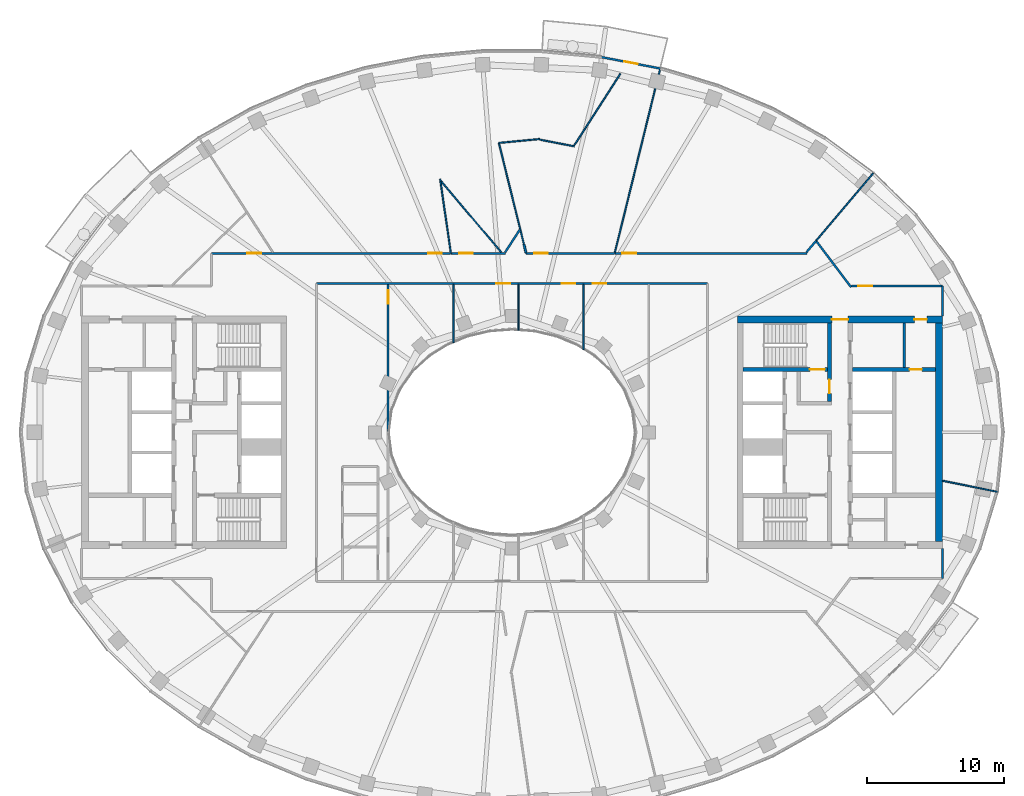
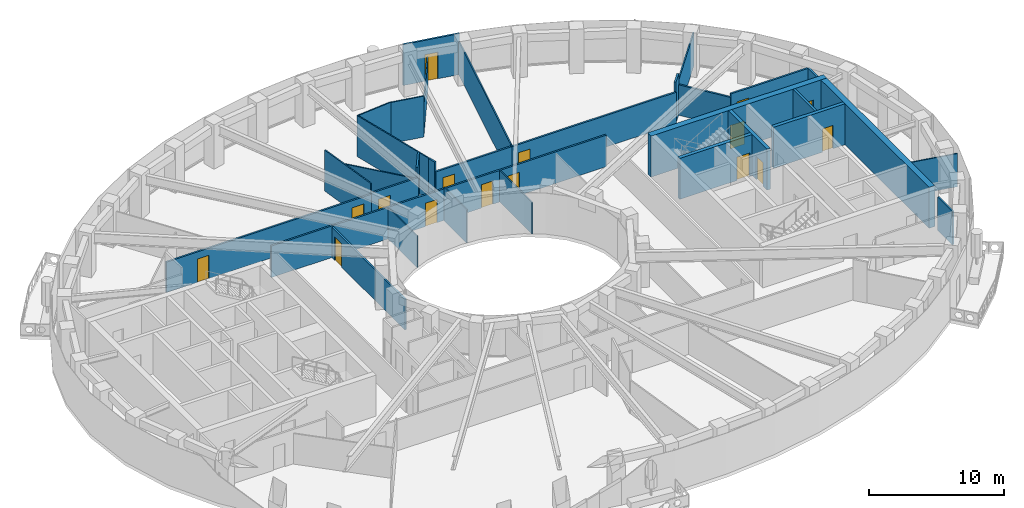
# One storey, part 6 of 16: 32 walls, 16 doors, 16 openings.
"""IFC4 building model written with IfcOpenShell, lengths in metres."""

from ifc_helpers import new_model, si_unit, direction, frame, frame_2d, origin, place, context, subcontext, project, spatial, rectangle, extrude, material, layer, layer_set, type_object, element, fill, save


model = new_model("IFC4")

# Units and contexts
model_context = context("Model", 3, precision=1e-05, world=origin(), true_north=direction((0.0, 1.0)))
body_context = subcontext(model_context, "Body", "Model", "MODEL_VIEW")
ifc_project = project(units=[si_unit("LENGTHUNIT", "METRE"), si_unit("AREAUNIT", "SQUARE_METRE"), si_unit("VOLUMEUNIT", "CUBIC_METRE"), si_unit("PLANEANGLEUNIT", "RADIAN"), si_unit("MASSUNIT", "GRAM", prefix="KILO")], contexts=[model_context])

# Site, building, storey
site_placement = place(None, origin())
site = spatial("IfcSite", under=ifc_project, at=site_placement, CompositionType="ELEMENT")
building_placement = place(site_placement, origin())
building = spatial("IfcBuilding", under=site, at=building_placement, Name="Noorbagh Ring Tower", CompositionType="ELEMENT")
storey_placement = place(building_placement, frame((0.0, 0.0, 261.5)))
storey = spatial("IfcBuildingStorey", under=building, at=storey_placement, Name="L55", CompositionType="ELEMENT", Elevation=261.5)

# Wall
ifc_material_1 = material(Name="Gypsum board on steel studs", Category="steel")
ifc_layer_1 = layer(ifc_material_1, 0.199951171875)
ifc_layer_set_1 = layer_set([ifc_layer_1], Name="Gypsum board on steel studs")
wall_type_1 = type_object("IfcWallType", Name="CORE-PARTITION-200", PredefinedType="PARTITIONING", material=ifc_layer_set_1)
wall_1_placement = place(storey_placement, frame((28.699951171875, 4.75, 0.0), z_axis=(0.0, 0.0, 1.0), x_axis=(0.0, 1.0, 0.0)))
element("IfcWall", 1, at=wall_1_placement, inside=storey, type_object=wall_type_1, Name="Core partition E", PredefinedType="PARTITIONING", context=body_context, shape_type="SweptSolid", body=[
    extrude(rectangle(XDim=3.25, YDim=0.199951171875, at=frame_2d((1.625, 0.0))), origin(), (0.0, 0.0, 1.0), 3.699951171875),
])

# Wall, opening, door
ifc_material_2 = material(Name="Concrete C60/75", Category="concrete")
ifc_layer_2 = layer(ifc_material_2, 0.300048828125)
ifc_layer_set_2 = layer_set([ifc_layer_2], Name="Concrete C60/75")
wall_type_2 = type_object("IfcWallType", Name="CORE-WALL-300-C60-75-EI240", PredefinedType="SHEAR", material=ifc_layer_set_2)
wall_2_placement = place(storey_placement, frame((24.89990234375, 4.60009765625, 0.0), z_axis=(0.0, 0.0, 1.0), x_axis=(1.0, 0.0, 0.0)))
wall_2 = element("IfcWall", 2, at=wall_2_placement, inside=storey, type_object=wall_type_2, Name="Core wall E", PredefinedType="SHEAR", context=body_context, shape_type="SweptSolid", body=[
    extrude(rectangle(XDim=6.10009765625, YDim=0.300048828125, at=frame_2d((3.050048828125, 0.0))), origin(), (0.0, 0.0, 1.0), 3.699951171875),
])
opening_1_placement = place(wall_2_placement, frame((4.199951171875, 0.0, 0.0)))
opening_1 = element("IfcOpeningElement", 3, at=opening_1_placement, cuts=wall_2, Name="Opening L55-CE18", PredefinedType="OPENING", context=body_context, shape_type="SweptSolid", body=[
    extrude(rectangle(XDim=0.89990234375, YDim=2.10009765625, at=frame_2d((0.449951171875, 1.050048828125))), frame((0.0, 0.16015625, 0.0), z_axis=(0.0, -1.0, 0.0), x_axis=(1.0, 0.0, 0.0)), (0.0, 0.0, 1.0), 0.320068359375),
])
ifc_material_3 = material(Name="Steel door leaf", Category="steel")
door_type_1 = type_object("IfcDoorType", Name="CORE-DOOR-DROOM", OperationType="SINGLE_SWING_LEFT", PredefinedType="DOOR", material=ifc_material_3)
door_1_placement = place(opening_1_placement, origin())
door_1 = element("IfcDoor", 4, at=door_1_placement, inside=storey, type_object=door_type_1, Name="Core room door L55-CE18", OperationType="SINGLE_SWING_RIGHT", OverallHeight=2.10009765625, OverallWidth=0.89990234375, PredefinedType="DOOR", context=body_context, shape_type="SweptSolid", body=[
    extrude(rectangle(XDim=0.89990234375, YDim=2.10009765625, at=frame_2d((0.449951171875, 1.050048828125))), frame((0.0, 0.02490234375, 0.0), z_axis=(0.0, -1.0, 0.0), x_axis=(1.0, 0.0, 0.0)), (0.0, 0.0, 1.0), 0.050048828125),
])
fill(opening_1, door_1)

wall_3_placement = place(storey_placement, frame((23.22998046875, 2.25, 0.0), z_axis=(0.0, 0.0, 1.0), x_axis=(0.0, 1.0, 0.0)))
wall_3 = element("IfcWall", 5, at=wall_3_placement, inside=storey, type_object=wall_type_2, Name="Core wall E", PredefinedType="SHEAR", context=body_context, shape_type="SweptSolid", body=[
    extrude(rectangle(XDim=5.75, YDim=0.300048828125, at=frame_2d((2.875, 0.0))), origin(), (0.0, 0.0, 1.0), 3.699951171875),
])
opening_2_placement = place(wall_3_placement, frame((0.60009765625, 0.0, 0.0)))
opening_2 = element("IfcOpeningElement", 6, at=opening_2_placement, cuts=wall_3, Name="Opening L55-CE10", PredefinedType="OPENING", context=body_context, shape_type="SweptSolid", body=[
    extrude(rectangle(XDim=1.0, YDim=2.10009765625, at=frame_2d((0.5, 1.050048828125))), frame((0.0, 0.16015625, 0.0), z_axis=(0.0, -1.0, 0.0), x_axis=(1.0, 0.0, 0.0)), (0.0, 0.0, 1.0), 0.320068359375),
])
ifc_material_4 = material(Name="Steel door leaf", Category="steel")
door_type_2 = type_object("IfcDoorType", Name="CORE-DOOR-DVEST", OperationType="SINGLE_SWING_LEFT", PredefinedType="DOOR", material=ifc_material_4)
door_2_placement = place(opening_2_placement, origin())
door_2 = element("IfcDoor", 7, at=door_2_placement, inside=storey, type_object=door_type_2, Name="Stair vestibule door L55-CE10", OperationType="SINGLE_SWING_RIGHT", OverallHeight=2.10009765625, OverallWidth=1.0, PredefinedType="DOOR", context=body_context, shape_type="SweptSolid", body=[
    extrude(rectangle(XDim=1.0, YDim=2.10009765625, at=frame_2d((0.5, 1.050048828125))), frame((0.0, 0.02490234375, 0.0), z_axis=(0.0, -1.0, 0.0), x_axis=(1.0, 0.0, 0.0)), (0.0, 0.0, 1.0), 0.050048828125),
])
fill(opening_2, door_2)

wall_4_placement = place(storey_placement, frame((16.89990234375, 4.60009765625, 0.0), z_axis=(0.0, 0.0, 1.0), x_axis=(1.0, 0.0, 0.0)))
wall_4 = element("IfcWall", 8, at=wall_4_placement, inside=storey, type_object=wall_type_2, Name="Core wall E", PredefinedType="SHEAR", context=body_context, shape_type="SweptSolid", body=[
    extrude(rectangle(XDim=6.18017578125, YDim=0.300048828125, at=frame_2d((3.090087890625, 0.0))), origin(), (0.0, 0.0, 1.0), 3.699951171875),
])
opening_3_placement = place(wall_4_placement, frame((4.89990234375, 0.0, 0.0)))
opening_3 = element("IfcOpeningElement", 9, at=opening_3_placement, cuts=wall_4, Name="Opening L55-CE07", PredefinedType="OPENING", context=body_context, shape_type="SweptSolid", body=[
    extrude(rectangle(XDim=1.10009765625, YDim=2.10009765625, at=frame_2d((0.550048828125, 1.050048828125))), frame((0.0, 0.16015625, 0.0), z_axis=(0.0, -1.0, 0.0), x_axis=(1.0, 0.0, 0.0)), (0.0, 0.0, 1.0), 0.320068359375),
])
ifc_material_5 = material(Name="Steel door leaf", Category="steel")
door_type_3 = type_object("IfcDoorType", Name="CORE-DOOR-DSTAIR", OperationType="SINGLE_SWING_LEFT", PredefinedType="DOOR", material=ifc_material_5)
door_3_placement = place(opening_3_placement, origin())
door_3 = element("IfcDoor", 10, at=door_3_placement, inside=storey, type_object=door_type_3, Name="Stair door ST3 L55-CE07", OperationType="SINGLE_SWING_LEFT", OverallHeight=2.10009765625, OverallWidth=1.10009765625, PredefinedType="DOOR", context=body_context, shape_type="SweptSolid", body=[
    extrude(rectangle(XDim=1.10009765625, YDim=2.10009765625, at=frame_2d((0.550048828125, 1.050048828125))), frame((0.0, 0.02490234375, 0.0), z_axis=(0.0, -1.0, 0.0), x_axis=(1.0, 0.0, 0.0)), (0.0, 0.0, 1.0), 0.050048828125),
])
fill(opening_3, door_3)

# Wall, openings, doors
ifc_material_6 = material(Name="Concrete C60/75", Category="concrete")
ifc_layer_3 = layer(ifc_material_6, 0.5)
ifc_layer_set_3 = layer_set([ifc_layer_3], Name="Concrete C60/75")
wall_type_3 = type_object("IfcWallType", Name="CORE-WALL-500-C60-75-EI240", PredefinedType="SHEAR", material=ifc_layer_set_3)
wall_5_placement = place(storey_placement, frame((16.5, 8.25, 0.0), z_axis=(0.0, 0.0, 1.0), x_axis=(1.0, 0.0, 0.0)))
wall_5 = element("IfcWall", 11, at=wall_5_placement, inside=storey, type_object=wall_type_3, Name="Core wall E", PredefinedType="SHEAR", context=body_context, shape_type="SweptSolid", body=[
    extrude(rectangle(XDim=15.0, YDim=0.5, at=frame_2d((7.5, 0.0))), origin(), (0.0, 0.0, 1.0), 3.699951171875),
])
opening_4_placement = place(wall_5_placement, frame((6.89990234375, 0.0, 0.0)))
opening_4 = element("IfcOpeningElement", 12, at=opening_4_placement, cuts=wall_5, Name="Opening L55-CE11", PredefinedType="OPENING", context=body_context, shape_type="SweptSolid", body=[
    extrude(rectangle(XDim=1.199951171875, YDim=2.10009765625, at=frame_2d((0.60009765625, 1.050048828125))), frame((0.0, 0.260009765625, 0.0), z_axis=(0.0, -1.0, 0.0), x_axis=(1.0, 0.0, 0.0)), (0.0, 0.0, 1.0), 0.52001953125),
])
opening_5_placement = place(wall_5_placement, frame((12.949951171875, 0.0, 0.0)))
opening_5 = element("IfcOpeningElement", 13, at=opening_5_placement, cuts=wall_5, Name="Opening L55-CE14", PredefinedType="OPENING", context=body_context, shape_type="SweptSolid", body=[
    extrude(rectangle(XDim=0.89990234375, YDim=2.10009765625, at=frame_2d((0.449951171875, 1.050048828125))), frame((0.0, 0.260009765625, 0.0), z_axis=(0.0, -1.0, 0.0), x_axis=(1.0, 0.0, 0.0)), (0.0, 0.0, 1.0), 0.52001953125),
])
door_4_placement = place(opening_5_placement, origin())
door_4 = element("IfcDoor", 14, at=door_4_placement, inside=storey, type_object=door_type_1, Name="Core room door L55-CE14", OperationType="SINGLE_SWING_LEFT", OverallHeight=2.10009765625, OverallWidth=0.89990234375, PredefinedType="DOOR", context=body_context, shape_type="SweptSolid", body=[
    extrude(rectangle(XDim=0.89990234375, YDim=2.10009765625, at=frame_2d((0.449951171875, 1.050048828125))), frame((0.0, 0.02490234375, 0.0), z_axis=(0.0, -1.0, 0.0), x_axis=(1.0, 0.0, 0.0)), (0.0, 0.0, 1.0), 0.050048828125),
])
fill(opening_5, door_4)
ifc_material_7 = material(Name="Steel door leaf", Category="steel")
door_type_4 = type_object("IfcDoorType", Name="CORE-DOOR-PORT", OperationType="DOUBLE_DOOR_DOUBLE_SWING", PredefinedType="DOOR", material=ifc_material_7)
door_5_placement = place(opening_4_placement, origin())
door_5 = element("IfcDoor", 15, at=door_5_placement, inside=storey, type_object=door_type_4, Name="Core entrance door L55-CE11", OperationType="DOUBLE_DOOR_DOUBLE_SWING", OverallHeight=2.10009765625, OverallWidth=1.199951171875, PredefinedType="DOOR", context=body_context, shape_type="SweptSolid", body=[
    extrude(rectangle(XDim=1.199951171875, YDim=2.10009765625, at=frame_2d((0.60009765625, 1.050048828125))), frame((0.0, 0.02490234375, 0.0), z_axis=(0.0, -1.0, 0.0), x_axis=(1.0, 0.0, 0.0)), (0.0, 0.0, 1.0), 0.050048828125),
])
fill(opening_4, door_5)

# Wall
wall_6_placement = place(storey_placement, frame((31.25, -8.0, 0.0), z_axis=(0.0, 0.0, 1.0), x_axis=(0.0, 1.0, 0.0)))
element("IfcWall", 16, at=wall_6_placement, inside=storey, type_object=wall_type_3, Name="Core wall E", PredefinedType="SHEAR", context=body_context, shape_type="SweptSolid", body=[
    extrude(rectangle(XDim=16.0, YDim=0.5, at=frame_2d((8.0, 0.0))), origin(), (0.0, 0.0, 1.0), 3.699951171875),
])

# Wall, openings, doors
ifc_material_8 = material(Name="Gypsum board on steel studs", Category="steel")
ifc_layer_4 = layer(ifc_material_8, 0.14990234375)
ifc_layer_set_4 = layer_set([ifc_layer_4], Name="Gypsum board on steel studs")
wall_type_4 = type_object("IfcWallType", Name="CORRIDOR PARTITION 150 EI 30", PredefinedType="PARTITIONING", material=ifc_layer_set_4)
wall_7_placement = place(storey_placement, frame((-22.0, 13.10009765625, 0.0), z_axis=(0.0, 0.0, 1.0), x_axis=(1.0, 0.0, 0.0)))
wall_7 = element("IfcWall", 17, at=wall_7_placement, inside=storey, type_object=wall_type_4, Name="L55/wall/P13", PredefinedType="PARTITIONING", context=body_context, shape_type="SweptSolid", body=[
    extrude(rectangle(XDim=17.507080078125, YDim=0.14990234375, at=frame_2d((8.75341796875, 0.0))), origin(), (0.0, 0.0, 1.0), 2.75),
])
opening_6_placement = place(wall_7_placement, frame((2.64306640625, 0.0, 0.0)))
opening_6 = element("IfcOpeningElement", 18, at=opening_6_placement, cuts=wall_7, Name="Opening D1", PredefinedType="OPENING", context=body_context, shape_type="SweptSolid", body=[
    extrude(rectangle(XDim=1.0, YDim=2.10009765625, at=frame_2d((0.5, 1.050048828125))), frame((0.0, 0.0849609375, 0.0), z_axis=(0.0, -1.0, 0.0), x_axis=(1.0, 0.0, 0.0)), (0.0, 0.0, 1.0), 0.169921875),
])
opening_7_placement = place(wall_7_placement, frame((15.876953125, 0.0, 0.0)))
opening_7 = element("IfcOpeningElement", 19, at=opening_7_placement, cuts=wall_7, Name="Opening D1", PredefinedType="OPENING", context=body_context, shape_type="SweptSolid", body=[
    extrude(rectangle(XDim=1.0, YDim=2.10009765625, at=frame_2d((0.5, 1.050048828125))), frame((0.0, 0.0849609375, 0.0), z_axis=(0.0, -1.0, 0.0), x_axis=(1.0, 0.0, 0.0)), (0.0, 0.0, 1.0), 0.169921875),
])
ifc_material_9 = material(Name="Timber, painted", Category="wood")
door_type_5 = type_object("IfcDoorType", Name="DOOR 1000 X 2100 FD30", OperationType="SINGLE_SWING_LEFT", PredefinedType="DOOR", material=ifc_material_9)
door_6_placement = place(opening_6_placement, origin())
door_6 = element("IfcDoor", 20, at=door_6_placement, inside=storey, type_object=door_type_5, Name="L55-D09", OperationType="SINGLE_SWING_LEFT", OverallHeight=2.10009765625, OverallWidth=1.0, PredefinedType="DOOR", context=body_context, shape_type="SweptSolid", body=[
    extrude(rectangle(XDim=1.0, YDim=2.10009765625, at=frame_2d((0.5, 1.050048828125))), frame((0.0, 0.02490234375, 0.0), z_axis=(0.0, -1.0, 0.0), x_axis=(1.0, 0.0, 0.0)), (0.0, 0.0, 1.0), 0.050048828125),
])
fill(opening_6, door_6)
door_7_placement = place(opening_7_placement, origin())
door_7 = element("IfcDoor", 21, at=door_7_placement, inside=storey, type_object=door_type_5, Name="L55-D11", OperationType="SINGLE_SWING_LEFT", OverallHeight=2.10009765625, OverallWidth=1.0, PredefinedType="DOOR", context=body_context, shape_type="SweptSolid", body=[
    extrude(rectangle(XDim=1.0, YDim=2.10009765625, at=frame_2d((0.5, 1.050048828125))), frame((0.0, 0.02490234375, 0.0), z_axis=(0.0, -1.0, 0.0), x_axis=(1.0, 0.0, 0.0)), (0.0, 0.0, 1.0), 0.050048828125),
])
fill(opening_7, door_7)

wall_8_placement = place(storey_placement, frame((-14.300048828125, 10.89990234375, 0.0), z_axis=(0.0, 0.0, 1.0), x_axis=(1.0, 0.0, 0.0)))
wall_8 = element("IfcWall", 22, at=wall_8_placement, inside=storey, type_object=wall_type_4, Name="L55/wall/P16", PredefinedType="PARTITIONING", context=body_context, shape_type="SweptSolid", body=[
    extrude(rectangle(XDim=28.60009765625, YDim=0.14990234375, at=frame_2d((14.300048828125, 0.0))), origin(), (0.0, 0.0, 1.0), 2.85009765625),
])
opening_8_placement = place(wall_8_placement, frame((13.159912109375, 0.0, 0.0)))
opening_8 = element("IfcOpeningElement", 23, at=opening_8_placement, cuts=wall_8, Name="Opening D1", PredefinedType="OPENING", context=body_context, shape_type="SweptSolid", body=[
    extrude(rectangle(XDim=1.0, YDim=2.10009765625, at=frame_2d((0.5, 1.050048828125))), frame((0.0, 0.0849609375, 0.0), z_axis=(0.0, -1.0, 0.0), x_axis=(1.0, 0.0, 0.0)), (0.0, 0.0, 1.0), 0.169921875),
])
opening_9_placement = place(wall_8_placement, frame((17.927001953125, 0.0, 0.0)))
opening_9 = element("IfcOpeningElement", 24, at=opening_9_placement, cuts=wall_8, Name="Opening D1", PredefinedType="OPENING", context=body_context, shape_type="SweptSolid", body=[
    extrude(rectangle(XDim=1.0, YDim=2.10009765625, at=frame_2d((0.5, 1.050048828125))), frame((0.0, 0.0849609375, 0.0), z_axis=(0.0, -1.0, 0.0), x_axis=(1.0, 0.0, 0.0)), (0.0, 0.0, 1.0), 0.169921875),
])
opening_10_placement = place(wall_8_placement, frame((20.193115234375, 0.0, 0.0)))
opening_10 = element("IfcOpeningElement", 25, at=opening_10_placement, cuts=wall_8, Name="Opening D1", PredefinedType="OPENING", context=body_context, shape_type="SweptSolid", body=[
    extrude(rectangle(XDim=1.0, YDim=2.10009765625, at=frame_2d((0.5, 1.050048828125))), frame((0.0, 0.0849609375, 0.0), z_axis=(0.0, -1.0, 0.0), x_axis=(1.0, 0.0, 0.0)), (0.0, 0.0, 1.0), 0.169921875),
])
door_8_placement = place(opening_8_placement, origin())
door_8 = element("IfcDoor", 26, at=door_8_placement, inside=storey, type_object=door_type_5, Name="L55-D22", OperationType="SINGLE_SWING_RIGHT", OverallHeight=2.10009765625, OverallWidth=1.0, PredefinedType="DOOR", context=body_context, shape_type="SweptSolid", body=[
    extrude(rectangle(XDim=1.0, YDim=2.10009765625, at=frame_2d((0.5, 1.050048828125))), frame((0.0, 0.02490234375, 0.0), z_axis=(0.0, -1.0, 0.0), x_axis=(1.0, 0.0, 0.0)), (0.0, 0.0, 1.0), 0.050048828125),
])
fill(opening_8, door_8)
door_9_placement = place(opening_9_placement, origin())
door_9 = element("IfcDoor", 27, at=door_9_placement, inside=storey, type_object=door_type_5, Name="L55-D24", OperationType="SINGLE_SWING_RIGHT", OverallHeight=2.10009765625, OverallWidth=1.0, PredefinedType="DOOR", context=body_context, shape_type="SweptSolid", body=[
    extrude(rectangle(XDim=1.0, YDim=2.10009765625, at=frame_2d((0.5, 1.050048828125))), frame((0.0, 0.02490234375, 0.0), z_axis=(0.0, -1.0, 0.0), x_axis=(1.0, 0.0, 0.0)), (0.0, 0.0, 1.0), 0.050048828125),
])
fill(opening_9, door_9)
door_10_placement = place(opening_10_placement, origin())
door_10 = element("IfcDoor", 28, at=door_10_placement, inside=storey, type_object=door_type_5, Name="L55-D25", OperationType="SINGLE_SWING_LEFT", OverallHeight=2.10009765625, OverallWidth=1.0, PredefinedType="DOOR", context=body_context, shape_type="SweptSolid", body=[
    extrude(rectangle(XDim=1.0, YDim=2.10009765625, at=frame_2d((0.5, 1.050048828125))), frame((0.0, 0.02490234375, 0.0), z_axis=(0.0, -1.0, 0.0), x_axis=(1.0, 0.0, 0.0)), (0.0, 0.0, 1.0), 0.050048828125),
])
fill(opening_10, door_10)

# Wall, opening, door
wall_9_placement = place(storey_placement, frame((-9.056884765625, 0.044921875, 0.0), z_axis=(0.0, 0.0, 1.0), x_axis=(0.0, 1.0, 0.0)))
wall_9 = element("IfcWall", 29, at=wall_9_placement, inside=storey, type_object=wall_type_4, Name="L55/wall/P26", PredefinedType="PARTITIONING", context=body_context, shape_type="SweptSolid", body=[
    extrude(rectangle(XDim=10.780029296875, YDim=0.14990234375, at=frame_2d((5.39013671875, 0.0))), origin(), (0.0, 0.0, 1.0), 2.75),
])
opening_11_placement = place(wall_9_placement, frame((9.360107421875, 0.0, 0.0)))
opening_11 = element("IfcOpeningElement", 30, at=opening_11_placement, cuts=wall_9, Name="Opening D1", PredefinedType="OPENING", context=body_context, shape_type="SweptSolid", body=[
    extrude(rectangle(XDim=1.0, YDim=2.10009765625, at=frame_2d((0.5, 1.050048828125))), frame((0.0, 0.0849609375, 0.0), z_axis=(0.0, -1.0, 0.0), x_axis=(1.0, 0.0, 0.0)), (0.0, 0.0, 1.0), 0.169921875),
])
door_11_placement = place(opening_11_placement, origin())
door_11 = element("IfcDoor", 31, at=door_11_placement, inside=storey, type_object=door_type_5, Name="L55-D20", OperationType="SINGLE_SWING_RIGHT", OverallHeight=2.10009765625, OverallWidth=1.0, PredefinedType="DOOR", context=body_context, shape_type="SweptSolid", body=[
    extrude(rectangle(XDim=1.0, YDim=2.10009765625, at=frame_2d((0.5, 1.050048828125))), frame((0.0, 0.02490234375, 0.0), z_axis=(0.0, -1.0, 0.0), x_axis=(1.0, 0.0, 0.0)), (0.0, 0.0, 1.0), 0.050048828125),
])
fill(opening_11, door_11)

wall_10_placement = place(storey_placement, frame((-4.472900390625, 13.10009765625, 0.0), z_axis=(0.0, 0.0, 1.0), x_axis=(1.0, 0.0, 0.0)))
wall_10 = element("IfcWall", 32, at=wall_10_placement, inside=storey, type_object=wall_type_4, Name="L55/wall/P29", PredefinedType="PARTITIONING", context=body_context, shape_type="SweptSolid", body=[
    extrude(rectangle(XDim=4.014892578125, YDim=0.14990234375, at=frame_2d((2.00732421875, 0.0))), origin(), (0.0, 0.0, 1.0), 2.85009765625),
])
opening_12_placement = place(wall_10_placement, frame((0.60205078125, 0.0, 0.0)))
opening_12 = element("IfcOpeningElement", 33, at=opening_12_placement, cuts=wall_10, Name="Opening D1", PredefinedType="OPENING", context=body_context, shape_type="SweptSolid", body=[
    extrude(rectangle(XDim=1.0, YDim=2.10009765625, at=frame_2d((0.5, 1.050048828125))), frame((0.0, 0.0849609375, 0.0), z_axis=(0.0, -1.0, 0.0), x_axis=(1.0, 0.0, 0.0)), (0.0, 0.0, 1.0), 0.169921875),
])
door_12_placement = place(opening_12_placement, origin())
door_12 = element("IfcDoor", 34, at=door_12_placement, inside=storey, type_object=door_type_5, Name="L55-D12", OperationType="SINGLE_SWING_RIGHT", OverallHeight=2.10009765625, OverallWidth=1.0, PredefinedType="DOOR", context=body_context, shape_type="SweptSolid", body=[
    extrude(rectangle(XDim=1.0, YDim=2.10009765625, at=frame_2d((0.5, 1.050048828125))), frame((0.0, 0.02490234375, 0.0), z_axis=(0.0, -1.0, 0.0), x_axis=(1.0, 0.0, 0.0)), (0.0, 0.0, 1.0), 0.050048828125),
])
fill(opening_12, door_12)

# Walls
wall_11_placement = place(storey_placement, frame((-0.4990234375, 13.175048828125, 0.0), z_axis=(0.0, 0.0, 1.0), x_axis=(0.542727480909, 0.83990885307, 0.0)))
element("IfcWall", 35, at=wall_11_placement, inside=storey, type_object=wall_type_4, Name="L55/wall/P35", PredefinedType="PARTITIONING", context=body_context, shape_type="SweptSolid", body=[
    extrude(rectangle(XDim=1.9716796875, YDim=0.14990234375, at=frame_2d((0.98583984375, 0.0))), origin(), (0.0, 0.0, 1.0), 3.699951171875),
])
wall_12_placement = place(storey_placement, frame((0.8720703125, 13.760986328125, 0.0), z_axis=(0.0, 0.0, 1.0), x_axis=(0.241387149241, -0.970428897025, 0.0)))
element("IfcWall", 36, at=wall_12_placement, inside=storey, type_object=wall_type_4, Name="L55/wall/P41", PredefinedType="PARTITIONING", context=body_context, shape_type="SweptSolid", body=[
    extrude(rectangle(XDim=0.650390625, YDim=0.14990234375, at=frame_2d((0.3251953125, 0.0))), origin(), (0.0, 0.0, 1.0), 3.699951171875),
])

# Wall, opening, door
wall_13_placement = place(storey_placement, frame((1.035888671875, 13.10009765625, 0.0), z_axis=(0.0, 0.0, 1.0), x_axis=(1.0, 0.0, 0.0)))
wall_13 = element("IfcWall", 37, at=wall_13_placement, inside=storey, type_object=wall_type_4, Name="L55/wall/P43", PredefinedType="PARTITIONING", context=body_context, shape_type="SweptSolid", body=[
    extrude(rectangle(XDim=6.47119140625, YDim=0.14990234375, at=frame_2d((3.235595703125, 0.0))), origin(), (0.0, 0.0, 1.0), 2.85009765625),
])
opening_13_placement = place(wall_13_placement, frame((0.587890625, 0.0, 0.0)))
opening_13 = element("IfcOpeningElement", 38, at=opening_13_placement, cuts=wall_13, Name="Opening D1", PredefinedType="OPENING", context=body_context, shape_type="SweptSolid", body=[
    extrude(rectangle(XDim=1.0, YDim=2.10009765625, at=frame_2d((0.5, 1.050048828125))), frame((0.0, 0.0849609375, 0.0), z_axis=(0.0, -1.0, 0.0), x_axis=(1.0, 0.0, 0.0)), (0.0, 0.0, 1.0), 0.169921875),
])
door_13_placement = place(opening_13_placement, origin())
door_13 = element("IfcDoor", 39, at=door_13_placement, inside=storey, type_object=door_type_5, Name="L55-D14", OperationType="SINGLE_SWING_RIGHT", OverallHeight=2.10009765625, OverallWidth=1.0, PredefinedType="DOOR", context=body_context, shape_type="SweptSolid", body=[
    extrude(rectangle(XDim=1.0, YDim=2.10009765625, at=frame_2d((0.5, 1.050048828125))), frame((0.0, 0.02490234375, 0.0), z_axis=(0.0, -1.0, 0.0), x_axis=(1.0, 0.0, 0.0)), (0.0, 0.0, 1.0), 0.050048828125),
])
fill(opening_13, door_13)

wall_14_placement = place(storey_placement, frame((7.52392578125, 13.10009765625, 0.0), z_axis=(0.0, 0.0, 1.0), x_axis=(1.0, 0.0, 0.0)))
wall_14 = element("IfcWall", 40, at=wall_14_placement, inside=storey, type_object=wall_type_4, Name="L55/wall/P51", PredefinedType="PARTITIONING", context=body_context, shape_type="SweptSolid", body=[
    extrude(rectangle(XDim=14.052001953125, YDim=0.14990234375, at=frame_2d((7.02587890625, 0.0))), origin(), (0.0, 0.0, 1.0), 2.85009765625),
])
opening_14_placement = place(wall_14_placement, frame((0.553955078125, 0.0, 0.0)))
opening_14 = element("IfcOpeningElement", 41, at=opening_14_placement, cuts=wall_14, Name="Opening D1", PredefinedType="OPENING", context=body_context, shape_type="SweptSolid", body=[
    extrude(rectangle(XDim=1.0, YDim=2.10009765625, at=frame_2d((0.5, 1.050048828125))), frame((0.0, 0.0849609375, 0.0), z_axis=(0.0, -1.0, 0.0), x_axis=(1.0, 0.0, 0.0)), (0.0, 0.0, 1.0), 0.169921875),
])
door_14_placement = place(opening_14_placement, origin())
door_14 = element("IfcDoor", 42, at=door_14_placement, inside=storey, type_object=door_type_5, Name="L55-D16", OperationType="SINGLE_SWING_RIGHT", OverallHeight=2.10009765625, OverallWidth=1.0, PredefinedType="DOOR", context=body_context, shape_type="SweptSolid", body=[
    extrude(rectangle(XDim=1.0, YDim=2.10009765625, at=frame_2d((0.5, 1.050048828125))), frame((0.0, 0.02490234375, 0.0), z_axis=(0.0, -1.0, 0.0), x_axis=(1.0, 0.0, 0.0)), (0.0, 0.0, 1.0), 0.050048828125),
])
fill(opening_14, door_14)

# Walls
wall_15_placement = place(storey_placement, frame((21.541015625, 13.175048828125, 0.0), z_axis=(0.0, 0.0, 1.0), x_axis=(0.646460291141, 0.762947633837, 0.0)))
element("IfcWall", 43, at=wall_15_placement, inside=storey, type_object=wall_type_4, Name="L55/wall/P55", PredefinedType="PARTITIONING", context=body_context, shape_type="SweptSolid", body=[
    extrude(rectangle(XDim=1.09814453125, YDim=0.14990234375, at=frame_2d((0.549072265625, 0.0))), origin(), (0.0, 0.0, 1.0), 3.699951171875),
])
wall_16_placement = place(storey_placement, frame((22.2509765625, 14.012939453125, 0.0), z_axis=(0.0, 0.0, 1.0), x_axis=(0.602435944628, -0.798167233492, 0.0)))
element("IfcWall", 44, at=wall_16_placement, inside=storey, type_object=wall_type_4, Name="L55/wall/P58", PredefinedType="PARTITIONING", context=body_context, shape_type="SweptSolid", body=[
    extrude(rectangle(XDim=4.24462890625, YDim=0.14990234375, at=frame_2d((2.122314453125, 0.0))), origin(), (0.0, 0.0, 1.0), 2.75),
])

# Wall, opening, door
wall_17_placement = place(storey_placement, frame((24.844970703125, 10.699951171875, 0.0), z_axis=(0.0, 0.0, 1.0), x_axis=(1.0, 0.0, 0.0)))
wall_17 = element("IfcWall", 45, at=wall_17_placement, inside=storey, type_object=wall_type_4, Name="L55/wall/P61", PredefinedType="PARTITIONING", context=body_context, shape_type="SweptSolid", body=[
    extrude(rectangle(XDim=6.655029296875, YDim=0.14990234375, at=frame_2d((3.32763671875, 0.0))), origin(), (0.0, 0.0, 1.0), 3.0),
])
opening_15_placement = place(wall_17_placement, frame((0.5048828125, 0.0, 0.0)))
opening_15 = element("IfcOpeningElement", 46, at=opening_15_placement, cuts=wall_17, Name="Opening D1", PredefinedType="OPENING", context=body_context, shape_type="SweptSolid", body=[
    extrude(rectangle(XDim=1.0, YDim=2.10009765625, at=frame_2d((0.5, 1.050048828125))), frame((0.0, 0.0849609375, 0.0), z_axis=(0.0, -1.0, 0.0), x_axis=(1.0, 0.0, 0.0)), (0.0, 0.0, 1.0), 0.169921875),
])
door_15_placement = place(opening_15_placement, origin())
door_15 = element("IfcDoor", 47, at=door_15_placement, inside=storey, type_object=door_type_5, Name="L55-D18", OperationType="SINGLE_SWING_RIGHT", OverallHeight=2.10009765625, OverallWidth=1.0, PredefinedType="DOOR", context=body_context, shape_type="SweptSolid", body=[
    extrude(rectangle(XDim=1.0, YDim=2.10009765625, at=frame_2d((0.5, 1.050048828125))), frame((0.0, 0.02490234375, 0.0), z_axis=(0.0, -1.0, 0.0), x_axis=(1.0, 0.0, 0.0)), (0.0, 0.0, 1.0), 0.050048828125),
])
fill(opening_15, door_15)

# Walls
for number, where, z_axis, x_axis, name in (
    (48, (31.5, -10.699951171875, 0.0), (0.0, 0.0, 1.0), (0.0, 1.0, 0.0), "L55/wall/P62"),
    (49, (31.5, 8.5, 0.0), (0.0, 0.0, 1.0), (0.0, 1.0, 0.0), "L55/wall/P64"),
):
    element("IfcWall", number, at=place(storey_placement, frame(where, z_axis=z_axis, x_axis=x_axis)), inside=storey, type_object=wall_type_4, Name=name, PredefinedType="PARTITIONING", context=body_context, shape_type="SweptSolid", body=[
        extrude(rectangle(XDim=2.199951171875, YDim=0.14990234375, at=frame_2d((1.10009765625, 0.0))), origin(), (0.0, 0.0, 1.0), 3.0),
    ])

# Wall, opening, door
ifc_material_10 = material(Name="Insulated aluminium clad panel", Category="aluminium")
ifc_layer_5 = layer(ifc_material_10, 0.14990234375)
ifc_layer_set_5 = layer_set([ifc_layer_5], Name="Insulated aluminium clad panel")
wall_type_5 = type_object("IfcWallType", Name="ENV-WALL-DOOR", PredefinedType="STANDARD", material=ifc_layer_set_5)
wall_18_placement = place(storey_placement, frame((10.87060546875, 26.616943359375, 0.0), z_axis=(0.0, 0.0, 1.0), x_axis=(-0.981631174778, 0.190788460615, 0.0)))
wall_18 = element("IfcWall", 50, at=wall_18_placement, inside=storey, type_object=wall_type_5, Name="Balcony door wall chord 10", PredefinedType="STANDARD", context=body_context, shape_type="SweptSolid", body=[
    extrude(rectangle(XDim=4.42626953125, YDim=0.14990234375, at=frame_2d((2.213134765625, 0.0))), origin(), (0.0, 0.0, 1.0), 3.699951171875),
])
opening_16_placement = place(wall_18_placement, frame((1.713134765625, 0.0, 0.0)))
opening_16 = element("IfcOpeningElement", 51, at=opening_16_placement, cuts=wall_18, Name="Opening D-BL", PredefinedType="OPENING", context=body_context, shape_type="SweptSolid", body=[
    extrude(rectangle(XDim=1.0, YDim=2.39990234375, at=frame_2d((0.5, 1.199951171875))), frame((0.0, 0.0849609375, 0.0), z_axis=(0.0, -1.0, 0.0), x_axis=(1.0, 0.0, 0.0)), (0.0, 0.0, 1.0), 0.169921875),
])
ifc_material_11 = material(Name="Aluminium and glass", Category="aluminium")
door_type_6 = type_object("IfcDoorType", Name="ENV-DOOR-BALCONY", OperationType="SINGLE_SWING_LEFT", PredefinedType="DOOR", material=ifc_material_11)
door_16_placement = place(opening_16_placement, origin())
door_16 = element("IfcDoor", 52, at=door_16_placement, inside=storey, type_object=door_type_6, Name="Balcony door chord 10", OperationType="SINGLE_SWING_RIGHT", OverallHeight=2.39990234375, OverallWidth=1.0, PredefinedType="DOOR", context=body_context, shape_type="SweptSolid", body=[
    extrude(rectangle(XDim=1.0, YDim=2.39990234375, at=frame_2d((0.5, 1.199951171875))), frame((0.0, 0.02490234375, 0.0), z_axis=(0.0, -1.0, 0.0), x_axis=(1.0, 0.0, 0.0)), (0.0, 0.0, 1.0), 0.050048828125),
])
fill(opening_16, door_16)

# Walls
ifc_material_12 = material(Name="Gypsum board on steel studs", Category="steel")
ifc_layer_6 = layer(ifc_material_12, 0.10009765625)
ifc_layer_set_6 = layer_set([ifc_layer_6], Name="Gypsum board on steel studs")
wall_type_6 = type_object("IfcWallType", Name="PARTITION 100 GYPSUM", PredefinedType="PARTITIONING", material=ifc_layer_set_6)
wall_19_placement = place(storey_placement, frame((-5.258056640625, 18.532958984375, 0.0), z_axis=(0.0, 0.0, 1.0), x_axis=(0.143033857536, -0.989717795939, 0.0)))
element("IfcWall", 53, at=wall_19_placement, inside=storey, type_object=wall_type_6, Name="L55/wall/P27", PredefinedType="PARTITIONING", context=body_context, shape_type="SweptSolid", body=[
    extrude(rectangle(XDim=5.4892578125, YDim=0.10009765625, at=frame_2d((2.74462890625, 0.0))), origin(), (0.0, 0.0, 1.0), 3.699951171875),
])
wall_20_placement = place(storey_placement, frame((-5.18408203125, 18.367919921875, 0.0), z_axis=(0.0, 0.0, 1.0), x_axis=(0.646387569677, -0.763009246187, 0.0)))
element("IfcWall", 54, at=wall_20_placement, inside=storey, type_object=wall_type_6, Name="L55/wall/P28", PredefinedType="PARTITIONING", context=body_context, shape_type="SweptSolid", body=[
    extrude(rectangle(XDim=6.8056640625, YDim=0.10009765625, at=frame_2d((3.40283203125, 0.0))), origin(), (0.0, 0.0, 1.0), 2.85009765625),
])
wall_21_placement = place(storey_placement, frame((-4.2900390625, 6.568115234375, 0.0), z_axis=(0.0, 0.0, 1.0), x_axis=(0.0, 1.0, 0.0)))
element("IfcWall", 55, at=wall_21_placement, inside=storey, type_object=wall_type_6, Name="L55/wall/P31", PredefinedType="PARTITIONING", context=body_context, shape_type="SweptSolid", body=[
    extrude(rectangle(XDim=4.2568359375, YDim=0.10009765625, at=frame_2d((2.12841796875, 0.0))), origin(), (0.0, 0.0, 1.0), 2.85009765625),
])
wall_22_placement = place(storey_placement, frame((-0.958984375, 21.176025390625, 0.0), z_axis=(0.0, 0.0, 1.0), x_axis=(0.239857253037, -0.970808167542, 0.0)))
element("IfcWall", 56, at=wall_22_placement, inside=storey, type_object=wall_type_6, Name="L55/wall/P32", PredefinedType="PARTITIONING", context=body_context, shape_type="SweptSolid", body=[
    extrude(rectangle(XDim=7.637939453125, YDim=0.10009765625, at=frame_2d((3.81884765625, 0.0))), origin(), (0.0, 0.0, 1.0), 3.699951171875),
])
wall_23_placement = place(storey_placement, frame((-0.958984375, 21.176025390625, 0.0), z_axis=(0.0, 0.0, 1.0), x_axis=(0.995444464517, 0.095343159492, 0.0)))
element("IfcWall", 57, at=wall_23_placement, inside=storey, type_object=wall_type_6, Name="L55/wall/P33", PredefinedType="PARTITIONING", context=body_context, shape_type="SweptSolid", body=[
    extrude(rectangle(XDim=2.99853515625, YDim=0.10009765625, at=frame_2d((1.499267578125, 0.0))), origin(), (0.0, 0.0, 1.0), 3.699951171875),
])
wall_24_placement = place(storey_placement, frame((0.47705078125, 7.468017578125, 0.0), z_axis=(0.0, 0.0, 1.0), x_axis=(0.0, 1.0, 0.0)))
element("IfcWall", 58, at=wall_24_placement, inside=storey, type_object=wall_type_6, Name="L55/wall/P39", PredefinedType="PARTITIONING", context=body_context, shape_type="SweptSolid", body=[
    extrude(rectangle(XDim=3.35693359375, YDim=0.10009765625, at=frame_2d((1.678466796875, 0.0))), origin(), (0.0, 0.0, 1.0), 3.0),
])
wall_25_placement = place(storey_placement, frame((2.02392578125, 21.4208984375, 0.0), z_axis=(0.0, 0.0, 1.0), x_axis=(0.981459861459, -0.191667786406, 0.0)))
element("IfcWall", 59, at=wall_25_placement, inside=storey, type_object=wall_type_6, Name="L55/wall/P44", PredefinedType="PARTITIONING", context=body_context, shape_type="SweptSolid", body=[
    extrude(rectangle(XDim=2.5869140625, YDim=0.10009765625, at=frame_2d((1.29345703125, 0.0))), origin(), (0.0, 0.0, 1.0), 3.699951171875),
])
wall_26_placement = place(storey_placement, frame((4.5390625, 20.97998046875, 0.0), z_axis=(0.0, 0.0, 1.0), x_axis=(0.542305592802, 0.840181316155, 0.0)))
element("IfcWall", 60, at=wall_26_placement, inside=storey, type_object=wall_type_6, Name="L55/wall/P45", PredefinedType="PARTITIONING", context=body_context, shape_type="SweptSolid", body=[
    extrude(rectangle(XDim=6.253662109375, YDim=0.10009765625, at=frame_2d((3.126953125, 0.0))), origin(), (0.0, 0.0, 1.0), 2.85009765625),
])
wall_27_placement = place(storey_placement, frame((5.242919921875, 6.05908203125, 0.0), z_axis=(0.0, 0.0, 1.0), x_axis=(0.0, 1.0, 0.0)))
element("IfcWall", 61, at=wall_27_placement, inside=storey, type_object=wall_type_6, Name="L55/wall/P47", PredefinedType="PARTITIONING", context=body_context, shape_type="SweptSolid", body=[
    extrude(rectangle(XDim=4.765869140625, YDim=0.10009765625, at=frame_2d((2.3828125, 0.0))), origin(), (0.0, 0.0, 1.0), 2.85009765625),
])
wall_28_placement = place(storey_placement, frame((7.509033203125, 13.10009765625, 0.0), z_axis=(0.0, 0.0, 1.0), x_axis=(0.239669025128, 0.970854653588, 0.0)))
element("IfcWall", 62, at=wall_28_placement, inside=storey, type_object=wall_type_6, Name="L55/wall/P49", PredefinedType="PARTITIONING", context=body_context, shape_type="SweptSolid", body=[
    extrude(rectangle(XDim=13.95263671875, YDim=0.10009765625, at=frame_2d((6.976318359375, 0.0))), origin(), (0.0, 0.0, 1.0), 3.0),
])
wall_29_placement = place(storey_placement, frame((22.2509765625, 14.012939453125, 0.0), z_axis=(0.0, 0.0, 1.0), x_axis=(0.646448300096, 0.76295779392, 0.0)))
element("IfcWall", 63, at=wall_29_placement, inside=storey, type_object=wall_type_6, Name="L55/wall/P59", PredefinedType="PARTITIONING", context=body_context, shape_type="SweptSolid", body=[
    extrude(rectangle(XDim=6.464599609375, YDim=0.10009765625, at=frame_2d((3.232421875, 0.0))), origin(), (0.0, 0.0, 1.0), 3.0),
])
wall_30_placement = place(storey_placement, frame((31.5, -3.5419921875, 0.0), z_axis=(0.0, 0.0, 1.0), x_axis=(0.980357474535, -0.197228857227, 0.0)))
element("IfcWall", 64, at=wall_30_placement, inside=storey, type_object=wall_type_6, Name="L55/wall/P63", PredefinedType="PARTITIONING", context=body_context, shape_type="SweptSolid", body=[
    extrude(rectangle(XDim=4.09228515625, YDim=0.10009765625, at=frame_2d((2.046142578125, 0.0))), origin(), (0.0, 0.0, 1.0), 3.0),
])

save(model, "model.ifc")
